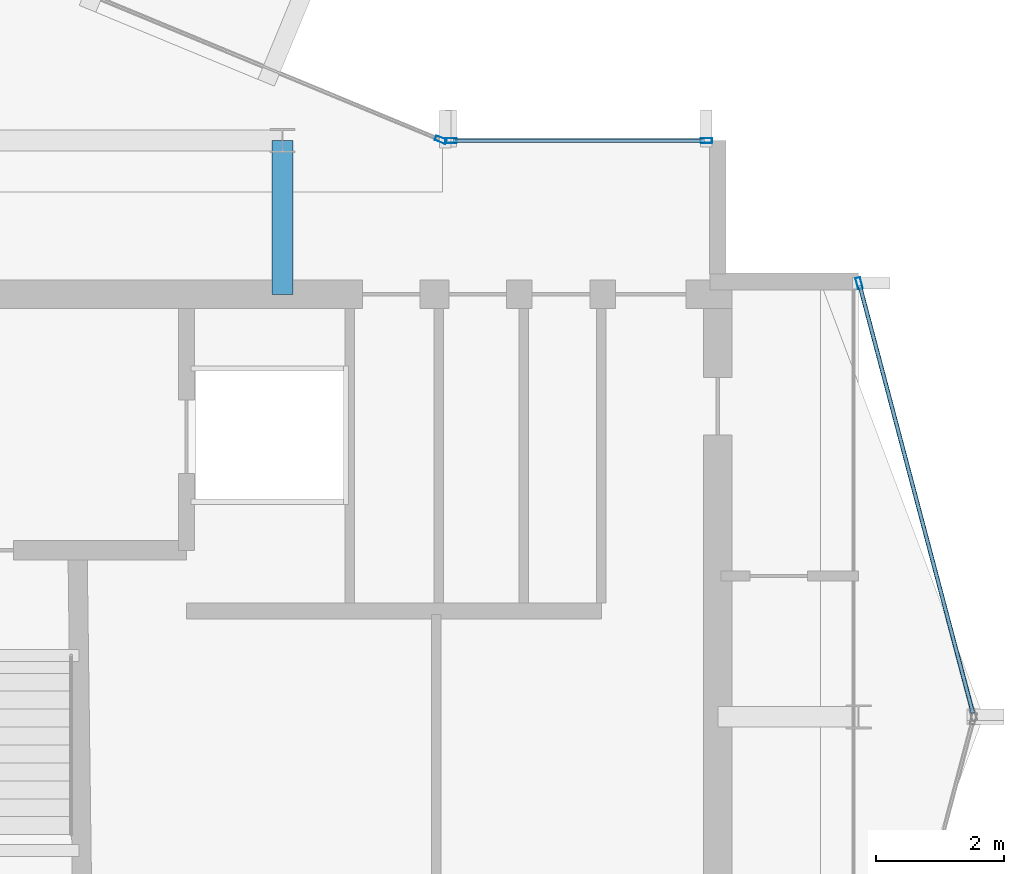
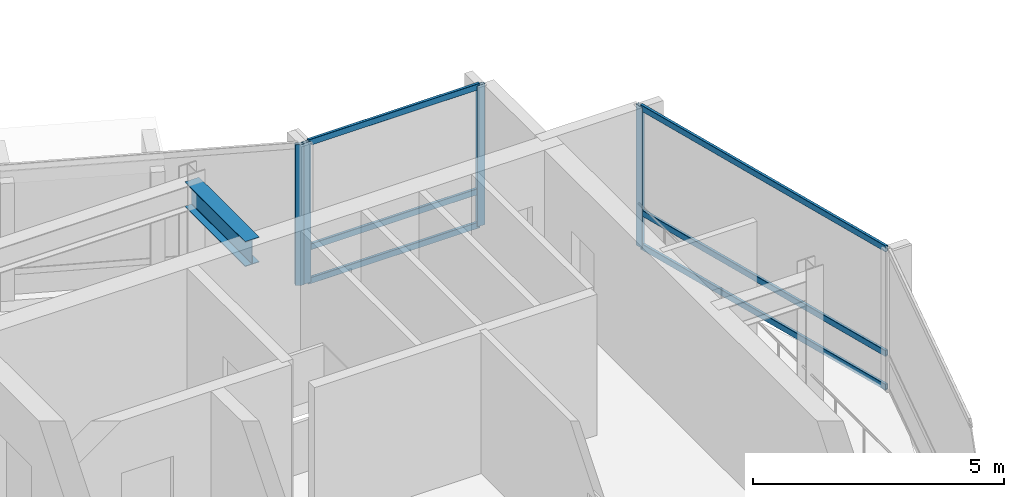
# One storey, part 10 of 19: 10 members, 1 beam, 3 elements without a shape of their own.
"""IFC4 building model written with IfcOpenShell, lengths in metres."""

import ifcopenshell
import ifcopenshell.guid

model = None  # the IFC model being written
_history = None  # IfcOwnerHistory: only IFC2X3 demands one
_inside = {}  # id of a spatial element -> (the spatial element, [elements in it])
_under = {}  # id of a project, library or spatial element -> (it, [spatial elements below it])
_declared = {}  # id of a project -> (the project, [libraries it declares])
_typed = {}  # id of a type object -> (the type object, [elements of that type])
_made_of = {}  # id of a material, layer set ... -> (it, [elements and type objects made of it])


def new_model(schema):
    """Start an empty IFC model of exactly this schema.

    Asked for "IFC4X3", IfcOpenShell would pick the latest addendum, in which some entities
    have other attributes; the version numbers below select the first issue.
    IFC2X3 requires an IfcOwnerHistory on every rooted entity: one is made here for all.
    """
    global model, _history
    if schema == "IFC4X3":
        model = ifcopenshell.file(schema_version=(4, 3, 0, 0))
    else:
        model = ifcopenshell.file(schema=schema)
    _inside.clear()
    _under.clear()
    _declared.clear()
    _typed.clear()
    _made_of.clear()
    _history = None
    if model.schema == "IFC2X3":
        org = make("IfcOrganization", Name="unknown")
        user = make(
            "IfcPersonAndOrganization",
            ThePerson=make("IfcPerson", FamilyName="unknown"),
            TheOrganization=org,
        )
        app = make(
            "IfcApplication",
            ApplicationDeveloper=org,
            Version="unknown",
            ApplicationFullName="unknown",
            ApplicationIdentifier="unknown",
        )
        _history = make(
            "IfcOwnerHistory",
            OwningUser=user,
            OwningApplication=app,
            ChangeAction="ADDED",
            CreationDate=0,
        )
    return model


def make(cls, **values):
    """One entity of the class cls with the attributes given. An attribute that is None is left unset."""
    return model.create_entity(
        cls, **{name: value for name, value in values.items() if value is not None}
    )


def rooted(cls, **values):
    """An entity with a GlobalId (a new one), such as an element, a storey or a relation."""
    return make(cls, GlobalId=ifcopenshell.guid.new(), OwnerHistory=_history, **values)


def si_unit(unit_type, name, prefix=None):
    """IfcSIUnit, for example si_unit("LENGTHUNIT", "METRE", prefix="MILLI")."""
    return make("IfcSIUnit", UnitType=unit_type, Prefix=prefix, Name=name)


def assignment(units):
    """IfcUnitAssignment: the units of a project."""
    return None if units is None else make("IfcUnitAssignment", Units=units)


def point(xyz):
    """IfcCartesianPoint."""
    return None if xyz is None else make("IfcCartesianPoint", Coordinates=xyz)


def direction(xyz):
    """IfcDirection."""
    return None if xyz is None else make("IfcDirection", DirectionRatios=xyz)


def frame(location, z_axis=None, x_axis=None):
    """IfcAxis2Placement3D, a coordinate frame: its origin and axes. An axis left out is left unset."""
    return make(
        "IfcAxis2Placement3D",
        Location=point(location),
        Axis=direction(z_axis),
        RefDirection=direction(x_axis),
    )


def frame_2d(location, x_axis=None):
    """IfcAxis2Placement2D, a coordinate frame in the plane: its origin and x axis."""
    return make(
        "IfcAxis2Placement2D", Location=point(location), RefDirection=direction(x_axis)
    )


def origin():
    """The frame at (0, 0, 0) with its axes left unset."""
    return frame((0.0, 0.0, 0.0))


def origin_2d():
    """The frame at (0, 0) in the plane with its x axis left unset."""
    return frame_2d((0.0, 0.0))


def place(relative_to, where):
    """IfcLocalPlacement: puts the frame where relative to a parent placement (None: the world)."""
    return make(
        "IfcLocalPlacement", PlacementRelTo=relative_to, RelativePlacement=where
    )


def context(
    kind, dimensions, precision=None, world=None, true_north=None, identifier=None
):
    """IfcGeometricRepresentationContext, for example the 3D "Model" context."""
    return make(
        "IfcGeometricRepresentationContext",
        ContextIdentifier=identifier,
        ContextType=kind,
        CoordinateSpaceDimension=dimensions,
        Precision=precision,
        WorldCoordinateSystem=world,
        TrueNorth=true_north,
    )


def subcontext(parent, identifier, kind, view, scale=None):
    """IfcGeometricRepresentationSubContext, for example "Body" below "Model"."""
    return make(
        "IfcGeometricRepresentationSubContext",
        ContextIdentifier=identifier,
        ContextType=kind,
        ParentContext=parent,
        TargetScale=scale,
        TargetView=view,
    )


def project(units=None, contexts=None):
    """IfcProject with its units and contexts."""
    return rooted(
        "IfcProject",
        Name="project",
        RepresentationContexts=contexts,
        UnitsInContext=assignment(units),
    )


def spatial(cls, under=None, at=None, **own):
    """A site, building, storey or space (cls), placed at a placement, below another one or the project."""
    s = rooted(cls, ObjectPlacement=at, **own)
    if under is not None:
        _under.setdefault(under.id(), (under, []))[1].append(s)
    return s


def profile(cls, at=None, kind="AREA", **sizes):
    """A parametric profile (cls). Its sizes go by their IFC names, for example OverallWidth=200.0."""
    return make(cls, ProfileType=kind, Position=at, **sizes)


def hollow_rectangle(**sizes):
    """IfcRectangleHollowProfileDef."""
    return profile("IfcRectangleHollowProfileDef", **sizes)


def i_section(**sizes):
    """IfcIShapeProfileDef."""
    return profile("IfcIShapeProfileDef", **sizes)


def extrude(swept, where, along, depth):
    """IfcExtrudedAreaSolid: the profile swept, set in the frame where, extruded along a direction by depth."""
    return make(
        "IfcExtrudedAreaSolid",
        SweptArea=swept,
        Position=where,
        ExtrudedDirection=direction(along),
        Depth=depth,
    )


def shape(context_of_items, identifier, shape_type, items):
    """IfcShapeRepresentation: the items that make up one representation, for example the "Body"."""
    return make(
        "IfcShapeRepresentation",
        ContextOfItems=context_of_items,
        RepresentationIdentifier=identifier,
        RepresentationType=shape_type,
        Items=items,
    )


def material(Name=None, Category=None):
    """IfcMaterial."""
    return make("IfcMaterial", Name=Name, Category=Category)


def layer(
    of_material, thickness, ventilated=None, Name=None, Category=None, Priority=None
):
    """IfcMaterialLayer: one layer of a wall or slab, of a material (None: an air gap)."""
    return make(
        "IfcMaterialLayer",
        Material=of_material,
        LayerThickness=thickness,
        IsVentilated=ventilated,
        Name=Name,
        Category=Category,
        Priority=Priority,
    )


def layer_set(layers, Name=None):
    """IfcMaterialLayerSet."""
    return make("IfcMaterialLayerSet", MaterialLayers=layers, LayerSetName=Name)


def material_profile(
    of_material, cross_section, Name=None, Category=None, Priority=None
):
    """IfcMaterialProfile: a cross section and its material."""
    return make(
        "IfcMaterialProfile",
        Name=Name,
        Material=of_material,
        Profile=cross_section,
        Priority=Priority,
        Category=Category,
    )


def profile_set(profiles, Name=None, composite=None):
    """IfcMaterialProfileSet."""
    return make(
        "IfcMaterialProfileSet",
        Name=Name,
        MaterialProfiles=profiles,
        CompositeProfile=composite,
    )


def made_of(thing, what):
    """Note that an element or type object is made of a material, layer set ...; save() writes the relation."""
    if what is not None:
        _made_of.setdefault(what.id(), (what, []))[1].append(thing)
    return thing


def type_object(cls, material=None, **own):
    """A type object (cls), such as IfcWallType, which elements share."""
    return made_of(rooted(cls, **own), material)


def element(
    cls,
    number,
    at=None,
    inside=None,
    cuts=None,
    type_object=None,
    material=None,
    context=None,
    identifier="Body",
    shape_type=None,
    held_by="IfcProductDefinitionShape",
    body=None,
    shapes=None,
    **own,
):
    """One element of the class cls, such as IfcWall. Its Tag is "e" and its number.

    at: its placement. inside: the storey or other place that contains it. cuts: it is an
    opening in that element (IfcRelVoidsElement). A single representation is given by context,
    identifier, shape_type and body (its items); several are given by shapes. held_by: the class
    of the entity that holds the representations. save() writes the other relations.
    """
    e = rooted(cls, Tag="e%d" % number, ObjectPlacement=at, **own)
    if body is not None:
        shapes = [shape(context, identifier, shape_type, body)]
    if shapes is not None:
        e.Representation = make(held_by, Representations=shapes)
    if inside is not None:
        _inside.setdefault(inside.id(), (inside, []))[1].append(e)
    if cuts is not None:
        rooted(
            "IfcRelVoidsElement", RelatingBuildingElement=cuts, RelatedOpeningElement=e
        )
    if type_object is not None:
        _typed.setdefault(type_object.id(), (type_object, []))[1].append(e)
    return made_of(e, material)


def aggregate(whole, parts):
    """IfcRelAggregates: a whole, such as a stair, and the parts it consists of."""
    return rooted("IfcRelAggregates", RelatingObject=whole, RelatedObjects=parts)


def save(model, path):
    """Write the relations noted so far, then the file.

    IfcRelAggregates (storeys below a building ...), IfcRelContainedInSpatialStructure (elements
    in a storey), IfcRelDefinesByType, IfcRelAssociatesMaterial and IfcRelDeclares: one each for
    every whole, place, type object, material and project.
    """
    for whole, parts in _under.values():
        aggregate(whole, parts)
    for where, things in _inside.values():
        rooted(
            "IfcRelContainedInSpatialStructure",
            RelatedElements=things,
            RelatingStructure=where,
        )
    for kind, things in _typed.values():
        rooted("IfcRelDefinesByType", RelatedObjects=things, RelatingType=kind)
    for what, things in _made_of.values():
        rooted("IfcRelAssociatesMaterial", RelatedObjects=things, RelatingMaterial=what)
    for by, libraries in _declared.values():
        rooted("IfcRelDeclares", RelatingContext=by, RelatedDefinitions=libraries)
    model.write(path)


model = new_model("IFC4")

# Units and contexts
model_context = context("Model", 3, precision=1e-05, world=origin(), true_north=direction((0.0, 1.0)))
body_context = subcontext(model_context, "Body", "Model", "MODEL_VIEW")
ifc_project = project(units=[si_unit("LENGTHUNIT", "METRE"), si_unit("AREAUNIT", "SQUARE_METRE"), si_unit("VOLUMEUNIT", "CUBIC_METRE"), si_unit("PLANEANGLEUNIT", "RADIAN"), si_unit("MASSUNIT", "GRAM", prefix="KILO")], contexts=[model_context])

# Site, building, storey
site_placement = place(None, origin())
site = spatial("IfcSite", under=ifc_project, at=site_placement, CompositionType="ELEMENT")
building_placement = place(site_placement, origin())
building = spatial("IfcBuilding", under=site, at=building_placement, Name="Solvaryn Broadcast Tower", CompositionType="ELEMENT")
storey_placement = place(building_placement, frame((0.0, 0.0, 274.10009765625)))
storey = spatial("IfcBuildingStorey", under=building, at=storey_placement, Name="L69", CompositionType="ELEMENT", Elevation=274.10009765625)

# Beam
ifc_material_1 = material(Name="Steel ASTM A992 Grade 50", Category="steel")
ifc_material_profile_1 = material_profile(ifc_material_1, i_section(OverallWidth=0.323974609375, OverallDepth=0.611083984375, WebThickness=0.0126953125, FlangeThickness=0.01904296875, FilletRadius=0.014892578125, at=origin_2d()))
ifc_profile_set_1 = profile_set([ifc_material_profile_1], Name="Steel ASTM A992 Grade 50")
beam_type = type_object("IfcBeamType", Name="BM-B1-W24X104", PredefinedType="BEAM", material=ifc_profile_set_1)
beam_placement = place(storey_placement, frame((36.0, 24.60009765625, 3.114501953125), z_axis=(0.0, 1.0, 0.0), x_axis=(-1.0, 0.0, 0.0)))
element("IfcBeam", 1, at=beam_placement, inside=storey, type_object=beam_type, Name="L69 Core Tie Beam CTE2", PredefinedType="BEAM", context=body_context, shape_type="SweptSolid", body=[
    extrude(i_section(OverallWidth=0.323974609375, OverallDepth=0.611083984375, WebThickness=0.0126953125, FlangeThickness=0.01904296875, FilletRadius=0.014892578125, at=origin_2d()), origin(), (0.0, 0.0, 1.0), 2.39990234375),
])

# Curtain wall, member
ifc_material_2 = material(Name="Aluminium and Terracotta Unitised Curtain Wall", Category="masonry")
ifc_layer = layer(ifc_material_2, 0.199951171875)
ifc_layer_set = layer_set([ifc_layer], Name="CW-SYS2-LOWMID")
curtain_wall_type = type_object("IfcCurtainWallType", Name="CW-SYS2-LOWMID", PredefinedType="NOTDEFINED", material=ifc_layer_set)
curtain_wall_1_placement = place(storey_placement, origin())
curtain_wall_1 = element("IfcCurtainWall", 2, at=curtain_wall_1_placement, inside=storey, type_object=curtain_wall_type, Name="L69 Curtain Wall CN1", PredefinedType="NOTDEFINED")
ifc_material_3 = material(Name="Anodised Aluminium 6063-T6", Category="aluminium")
ifc_material_profile_2 = material_profile(ifc_material_3, hollow_rectangle(XDim=0.074951171875, YDim=0.179931640625, WallThickness=0.00390625, InnerFilletRadius=0.00390625, OuterFilletRadius=0.008056640625, at=origin_2d()))
ifc_profile_set_2 = profile_set([ifc_material_profile_2], Name="Anodised Aluminium 6063-T6")
member_type_1 = type_object("IfcMemberType", Name="CW-MUL-180", PredefinedType="MULLION", material=ifc_profile_set_2)
member_1_placement = place(storey_placement, frame((38.47216796875, 27.011474609375, 0.0), z_axis=(0.0, 0.0, 1.0), x_axis=(-0.382646127145, -0.923894983957, 0.0)))
member_1 = element("IfcMember", 3, at=member_1_placement, type_object=member_type_1, Name="CWS2 mullion 1", PredefinedType="MULLION", context=body_context, shape_type="SweptSolid", body=[
    extrude(hollow_rectangle(XDim=0.074951171875, YDim=0.179931640625, WallThickness=0.00390625, InnerFilletRadius=0.00390625, OuterFilletRadius=0.008056640625, at=origin_2d()), origin(), (0.0, 0.0, 1.0), 3.419921875),
])
aggregate(curtain_wall_1, [member_1])

curtain_wall_2_placement = place(storey_placement, origin())
curtain_wall_2 = element("IfcCurtainWall", 4, at=curtain_wall_2_placement, inside=storey, type_object=curtain_wall_type, Name="L69 Curtain Wall ET1", PredefinedType="NOTDEFINED")
member_2_placement = place(storey_placement, frame((45.007568359375, 24.77099609375, 0.0), z_axis=(0.0, 0.0, 1.0), x_axis=(0.966705227863, 0.25589256031, 0.0)))
member_2 = element("IfcMember", 5, at=member_2_placement, type_object=member_type_1, Name="CWS2 mullion 1", PredefinedType="MULLION", context=body_context, shape_type="SweptSolid", body=[
    extrude(hollow_rectangle(XDim=0.074951171875, YDim=0.179931640625, WallThickness=0.00390625, InnerFilletRadius=0.00390625, OuterFilletRadius=0.008056640625, at=origin_2d()), origin(), (0.0, 0.0, 1.0), 3.419921875),
])

# Curtain wall, members
curtain_wall_3_placement = place(storey_placement, origin())
curtain_wall_3 = element("IfcCurtainWall", 6, at=curtain_wall_3_placement, inside=storey, type_object=curtain_wall_type, Name="L69 Curtain Wall IH", PredefinedType="NOTDEFINED")
member_3_placement = place(storey_placement, frame((38.6298828125, 27.0, 0.0), z_axis=(0.0, 0.0, 1.0), x_axis=(0.0, 1.0, 0.0)))
member_3 = element("IfcMember", 7, at=member_3_placement, type_object=member_type_1, Name="CWS2 mullion 1", PredefinedType="MULLION", context=body_context, shape_type="SweptSolid", body=[
    extrude(hollow_rectangle(XDim=0.074951171875, YDim=0.179931640625, WallThickness=0.00390625, InnerFilletRadius=0.00390625, OuterFilletRadius=0.008056640625, at=origin_2d()), origin(), (0.0, 0.0, 1.0), 3.419921875),
])
member_4_placement = place(storey_placement, frame((42.6201171875, 27.0, 0.0), z_axis=(0.0, 0.0, 1.0), x_axis=(0.0, 1.0, 0.0)))
member_4 = element("IfcMember", 8, at=member_4_placement, type_object=member_type_1, Name="CWS2 mullion 2", PredefinedType="MULLION", context=body_context, shape_type="SweptSolid", body=[
    extrude(hollow_rectangle(XDim=0.074951171875, YDim=0.179931640625, WallThickness=0.00390625, InnerFilletRadius=0.00390625, OuterFilletRadius=0.008056640625, at=origin_2d()), origin(), (0.0, 0.0, 1.0), 3.419921875),
])

# Member
ifc_material_4 = material(Name="Anodised Aluminium 6063-T6", Category="aluminium")
ifc_material_profile_3 = material_profile(ifc_material_4, hollow_rectangle(XDim=0.06494140625, YDim=0.14990234375, WallThickness=0.00390625, InnerFilletRadius=0.00390625, OuterFilletRadius=0.008056640625, at=origin_2d()))
ifc_profile_set_3 = profile_set([ifc_material_profile_3], Name="Anodised Aluminium 6063-T6")
member_type_2 = type_object("IfcMemberType", Name="CW-TRN-150", PredefinedType="USERDEFINED", material=ifc_profile_set_3)
member_5_placement = place(storey_placement, frame((45.015380859375, 24.741943359375, 0.02978515625), z_axis=(0.255897413051, -0.966703943301, 0.0), x_axis=(0.966703943301, 0.255897413051, 0.0)))
member_5 = element("IfcMember", 9, at=member_5_placement, type_object=member_type_2, Name="CWS2 transom 1.1", ObjectType="TRANSOM", PredefinedType="USERDEFINED", context=body_context, shape_type="SweptSolid", body=[
    extrude(hollow_rectangle(XDim=0.06494140625, YDim=0.14990234375, WallThickness=0.00390625, InnerFilletRadius=0.00390625, OuterFilletRadius=0.008056640625, at=origin_2d()), origin(), (0.0, 0.0, 1.0), 6.9140625),
])

member_6_placement = place(storey_placement, frame((45.015380859375, 24.741943359375, 0.849853515625), z_axis=(0.255897413051, -0.966703943301, 0.0), x_axis=(0.966703943301, 0.255897413051, 0.0)))
member_6 = element("IfcMember", 10, at=member_6_placement, type_object=member_type_2, Name="CWS2 transom 1.2", ObjectType="TRANSOM", PredefinedType="USERDEFINED", context=body_context, shape_type="SweptSolid", body=[
    extrude(hollow_rectangle(XDim=0.06494140625, YDim=0.14990234375, WallThickness=0.00390625, InnerFilletRadius=0.00390625, OuterFilletRadius=0.008056640625, at=origin_2d()), origin(), (0.0, 0.0, 1.0), 6.9140625),
])

member_7_placement = place(storey_placement, frame((45.015380859375, 24.741943359375, 3.389892578125), z_axis=(0.255897413051, -0.966703943301, 0.0), x_axis=(0.966703943301, 0.255897413051, 0.0)))
member_7 = element("IfcMember", 11, at=member_7_placement, type_object=member_type_2, Name="CWS2 transom 1.3", ObjectType="TRANSOM", PredefinedType="USERDEFINED", context=body_context, shape_type="SweptSolid", body=[
    extrude(hollow_rectangle(XDim=0.06494140625, YDim=0.14990234375, WallThickness=0.00390625, InnerFilletRadius=0.00390625, OuterFilletRadius=0.008056640625, at=origin_2d()), origin(), (0.0, 0.0, 1.0), 6.9140625),
])

aggregate(curtain_wall_2, [member_2, member_5, member_6, member_7])

member_8_placement = place(storey_placement, frame((38.659912109375, 27.0, 0.02978515625), z_axis=(1.0, 0.0, 0.0), x_axis=(0.0, 1.0, 0.0)))
member_8 = element("IfcMember", 12, at=member_8_placement, type_object=member_type_2, Name="CWS2 transom 1.1", ObjectType="TRANSOM", PredefinedType="USERDEFINED", context=body_context, shape_type="SweptSolid", body=[
    extrude(hollow_rectangle(XDim=0.06494140625, YDim=0.14990234375, WallThickness=0.00390625, InnerFilletRadius=0.00390625, OuterFilletRadius=0.008056640625, at=origin_2d()), origin(), (0.0, 0.0, 1.0), 3.93017578125),
])

member_9_placement = place(storey_placement, frame((38.659912109375, 27.0, 0.849853515625), z_axis=(1.0, 0.0, 0.0), x_axis=(0.0, 1.0, 0.0)))
member_9 = element("IfcMember", 13, at=member_9_placement, type_object=member_type_2, Name="CWS2 transom 1.2", ObjectType="TRANSOM", PredefinedType="USERDEFINED", context=body_context, shape_type="SweptSolid", body=[
    extrude(hollow_rectangle(XDim=0.06494140625, YDim=0.14990234375, WallThickness=0.00390625, InnerFilletRadius=0.00390625, OuterFilletRadius=0.008056640625, at=origin_2d()), origin(), (0.0, 0.0, 1.0), 3.93017578125),
])

member_10_placement = place(storey_placement, frame((38.659912109375, 27.0, 3.389892578125), z_axis=(1.0, 0.0, 0.0), x_axis=(0.0, 1.0, 0.0)))
member_10 = element("IfcMember", 14, at=member_10_placement, type_object=member_type_2, Name="CWS2 transom 1.3", ObjectType="TRANSOM", PredefinedType="USERDEFINED", context=body_context, shape_type="SweptSolid", body=[
    extrude(hollow_rectangle(XDim=0.06494140625, YDim=0.14990234375, WallThickness=0.00390625, InnerFilletRadius=0.00390625, OuterFilletRadius=0.008056640625, at=origin_2d()), origin(), (0.0, 0.0, 1.0), 3.93017578125),
])

aggregate(curtain_wall_3, [member_3, member_4, member_8, member_9, member_10])

save(model, "model.ifc")
